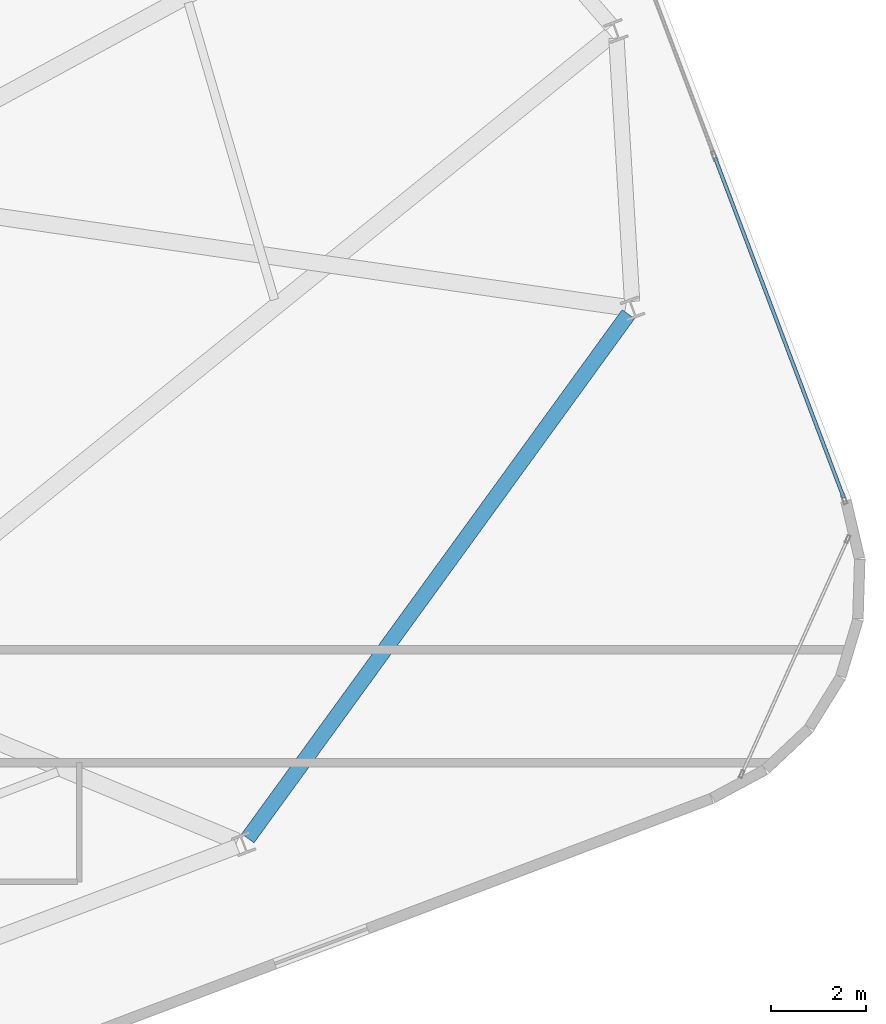
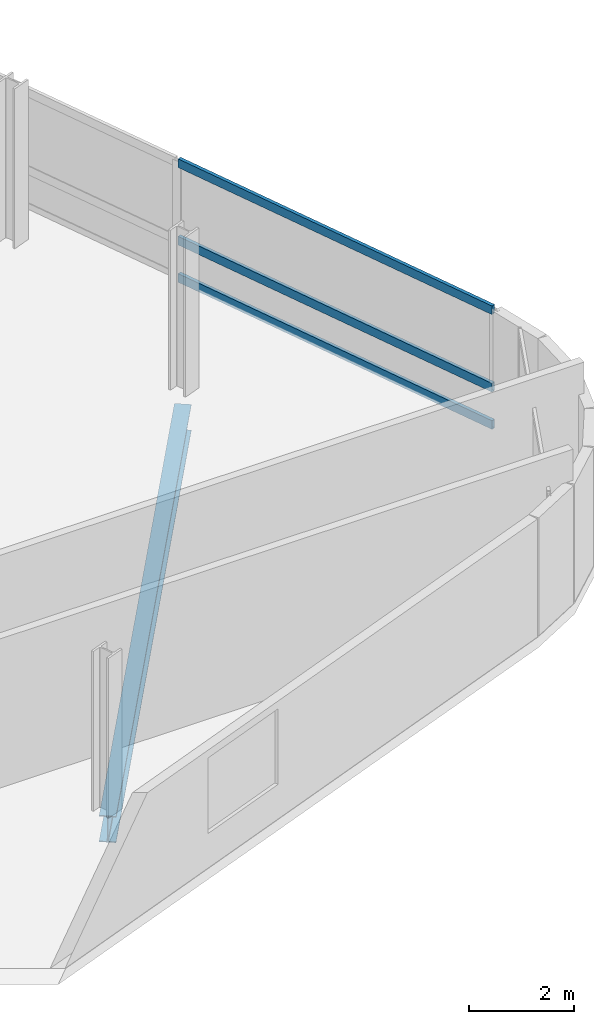
# One storey, part 14 of 24: 3 members, 1 beam, 1 element without a shape of its own.
"""IFC4 building model written with IfcOpenShell, lengths in metres."""

from ifc_helpers import new_model, si_unit, direction, frame, origin, origin_2d, place, context, subcontext, project, spatial, hollow_rectangle, i_section, extrude, material, layer, layer_set, material_profile, profile_set, type_object, element, aggregate, save


model = new_model("IFC4")

# Units and contexts
model_context = context("Model", 3, precision=1e-05, world=origin(), true_north=direction((0.0, 1.0)))
body_context = subcontext(model_context, "Body", "Model", "MODEL_VIEW")
ifc_project = project(units=[si_unit("LENGTHUNIT", "METRE"), si_unit("AREAUNIT", "SQUARE_METRE"), si_unit("VOLUMEUNIT", "CUBIC_METRE"), si_unit("PLANEANGLEUNIT", "RADIAN"), si_unit("MASSUNIT", "GRAM", prefix="KILO")], contexts=[model_context])

# Site, building, storey
site_placement = place(None, origin())
site = spatial("IfcSite", under=ifc_project, at=site_placement, CompositionType="ELEMENT")
building_placement = place(site_placement, origin())
building = spatial("IfcBuilding", under=site, at=building_placement, Name="Varnelok Gate Tower", CompositionType="ELEMENT")
storey_placement = place(building_placement, frame((0.0, 0.0, 212.699951171875)))
storey = spatial("IfcBuildingStorey", under=building, at=storey_placement, Name="L54", CompositionType="ELEMENT", Elevation=212.699951171875)

# Beam
ifc_material_1 = material(Name="Structural Steel ASTM A992 Grade 50", Category="steel")
ifc_material_profile_1 = material_profile(ifc_material_1, i_section(OverallWidth=0.323974609375, OverallDepth=0.611083984375, WebThickness=0.0126953125, FlangeThickness=0.01904296875, FilletRadius=0.01806640625, at=origin_2d()), Name="W24X104")
ifc_profile_set_1 = profile_set([ifc_material_profile_1], Name="Structural Steel ASTM A992 Grade 50")
beam_type = type_object("IfcBeamType", Name="BM-SPN-W24X104", PredefinedType="SPANDREL", material=ifc_profile_set_1)
beam_placement = place(storey_placement, frame((62.92041015625, 15.249755859375, -0.555419921875), z_axis=(0.58754084914, 0.809194507267, 0.0), x_axis=(-0.809194507267, 0.58754084914, 0.0)))
element("IfcBeam", 1, at=beam_placement, inside=storey, type_object=beam_type, Name="L54 Perimeter Spandrel Beam 5", PredefinedType="SPANDREL", context=body_context, shape_type="SweptSolid", body=[
    extrude(i_section(OverallWidth=0.323974609375, OverallDepth=0.611083984375, WebThickness=0.0126953125, FlangeThickness=0.01904296875, FilletRadius=0.01806640625, at=origin_2d()), origin(), (0.0, 0.0, 1.0), 13.695556640625),
])

# Curtain wall, members
ifc_material_2 = material(Name="Anodized Aluminum Alloy 6063-T6", Category="aluminium")
ifc_layer = layer(ifc_material_2, 0.179931640625)
ifc_layer_set = layer_set([ifc_layer], Name="Anodized Aluminum Alloy 6063-T6")
curtain_wall_type = type_object("IfcCurtainWallType", Name="CW4-RESIDENCE-VISION", PredefinedType="USERDEFINED", material=ifc_layer_set)
curtain_wall_placement = place(storey_placement, origin())
curtain_wall = element("IfcCurtainWall", 2, at=curtain_wall_placement, inside=storey, type_object=curtain_wall_type, Name="L54 East End Vision Curtain Wall", ObjectType="UNITISED CURTAIN WALL", PredefinedType="USERDEFINED")
ifc_material_profile_2 = material_profile(ifc_material_2, hollow_rectangle(XDim=0.074951171875, YDim=0.199951171875, WallThickness=0.00390625, at=origin_2d()), Name="ALU200X75X4")
ifc_profile_set_2 = profile_set([ifc_material_profile_2], Name="Anodized Aluminum Alloy 6063-T6")
member_type = type_object("IfcMemberType", Name="CW-TRAN-200", PredefinedType="USERDEFINED", material=ifc_profile_set_2)
member_1_placement = place(storey_placement, frame((72.7998046875, 29.64013671875, 0.03759765625), z_axis=(0.354062525952, -0.935221753231, 0.0), x_axis=(0.935221753231, 0.354062525952, 0.0)))
member_1 = element("IfcMember", 3, at=member_1_placement, type_object=member_type, Name="CW4 transom 4.1", ObjectType="TRANSOM", PredefinedType="USERDEFINED", context=body_context, shape_type="SweptSolid", body=[
    extrude(hollow_rectangle(XDim=0.074951171875, YDim=0.199951171875, WallThickness=0.00390625, at=origin_2d()), origin(), (0.0, 0.0, 1.0), 7.687744140625),
])
member_2_placement = place(storey_placement, frame((72.7998046875, 29.64013671875, 0.900146484375), z_axis=(0.354062525952, -0.935221753231, 0.0), x_axis=(0.935221753231, 0.354062525952, 0.0)))
member_2 = element("IfcMember", 4, at=member_2_placement, type_object=member_type, Name="CW4 transom 4.2", ObjectType="TRANSOM", PredefinedType="USERDEFINED", context=body_context, shape_type="SweptSolid", body=[
    extrude(hollow_rectangle(XDim=0.074951171875, YDim=0.199951171875, WallThickness=0.00390625, at=origin_2d()), origin(), (0.0, 0.0, 1.0), 7.687744140625),
])
member_3_placement = place(storey_placement, frame((72.7998046875, 29.64013671875, 2.692626953125), z_axis=(0.354062525952, -0.935221753231, 0.0), x_axis=(0.935221753231, 0.354062525952, 0.0)))
member_3 = element("IfcMember", 5, at=member_3_placement, type_object=member_type, Name="CW4 transom 4.3", ObjectType="TRANSOM", PredefinedType="USERDEFINED", context=body_context, shape_type="SweptSolid", body=[
    extrude(hollow_rectangle(XDim=0.074951171875, YDim=0.199951171875, WallThickness=0.00390625, at=origin_2d()), origin(), (0.0, 0.0, 1.0), 7.687744140625),
])
aggregate(curtain_wall, [member_1, member_2, member_3])

save(model, "model.ifc")
